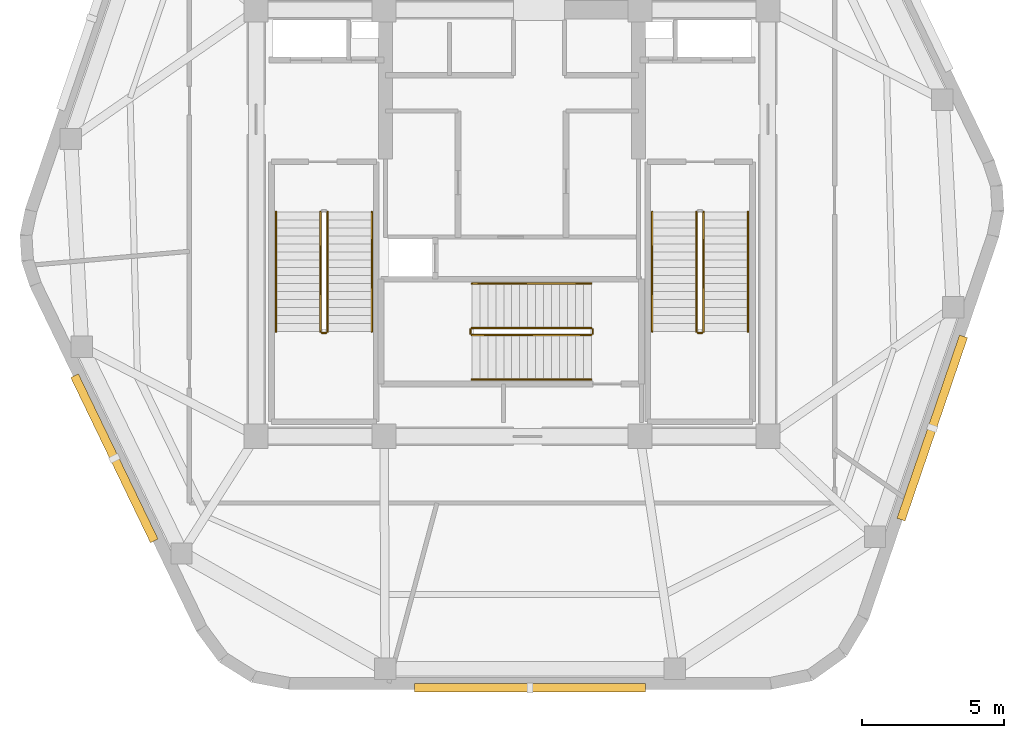
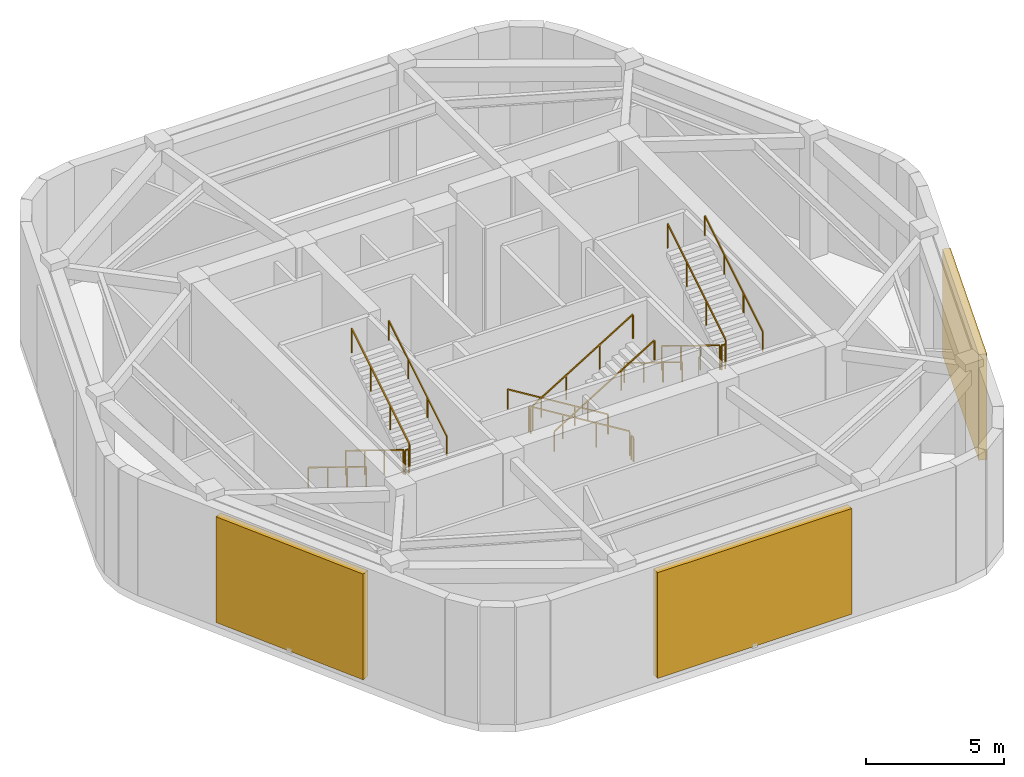
# One storey, part 5 of 6: 16 railings, 3 shading devices.
"""IFC4 building model written with IfcOpenShell, lengths in metres."""

from ifc_helpers import new_model, si_unit, direction, frame, origin, origin_2d, place, context, subcontext, project, spatial, rectangle, extrude, material, layer, layer_set, type_object, element, save


model = new_model("IFC4")

# Units and contexts
model_context = context("Model", 3, precision=1e-05, world=origin(), true_north=direction((0.0, 1.0)))
body_context = subcontext(model_context, "Body", "Model", "MODEL_VIEW")
ifc_project = project(units=[si_unit("LENGTHUNIT", "METRE"), si_unit("AREAUNIT", "SQUARE_METRE"), si_unit("VOLUMEUNIT", "CUBIC_METRE"), si_unit("PLANEANGLEUNIT", "RADIAN"), si_unit("MASSUNIT", "GRAM", prefix="KILO")], contexts=[model_context])

# Site, building, storey
site_placement = place(None, origin())
site = spatial("IfcSite", under=ifc_project, at=site_placement, CompositionType="ELEMENT")
building_placement = place(site_placement, origin())
building = spatial("IfcBuilding", under=site, at=building_placement, Name="Kilnhurst Terrace Hotel", CompositionType="ELEMENT")
storey_placement = place(building_placement, frame((0.0, 0.0, 310.39990234375)))
storey = spatial("IfcBuildingStorey", under=building, at=storey_placement, Name="L77", CompositionType="ELEMENT", Elevation=310.39990234375)

# Railings
ifc_material_1 = material(Name="Powder-Coated Steel ASTM A500 Grade B", Category="steel")
ifc_layer_1 = layer(ifc_material_1, 0.050048828125, Name="Powder-Coated Steel ASTM A500 Grade B")
ifc_layer_set_1 = layer_set([ifc_layer_1], Name="Powder-Coated Steel ASTM A500 Grade B")
railing_type_1 = type_object("IfcRailingType", Name="RLG-ST-GRD-1100", PredefinedType="GUARDRAIL", material=ifc_layer_set_1)
railing_1_placement = place(storey_placement, frame((-6.739990234375, 0.389892578125, 0.171875)))
element("IfcRailing", 1, at=railing_1_placement, inside=storey, type_object=railing_type_1, Name="L77 ST-1 stair guard 1", PredefinedType="GUARDRAIL", context=body_context, shape_type="SweptSolid", body=[
    extrude(rectangle(XDim=0.048095703125, YDim=0.048095703125, at=origin_2d()), frame((0.0, 0.0, 1.076171875), z_axis=(0.0, -0.852242915053, 0.523146264196), x_axis=(1.0, 0.0, 0.0)), (0.0, 0.0, 1.0), 4.92822265625),
    extrude(rectangle(XDim=0.0419921875, YDim=0.0419921875, at=origin_2d()), origin(), (0.0, 0.0, 1.0), 1.052001953125),
    extrude(rectangle(XDim=0.0419921875, YDim=0.0419921875, at=origin_2d()), frame((0.0, -1.39990234375, 0.859375)), (0.0, 0.0, 1.0), 1.052001953125),
    extrude(rectangle(XDim=0.0419921875, YDim=0.0419921875, at=origin_2d()), frame((0.0, -2.800048828125, 1.71875)), (0.0, 0.0, 1.0), 1.052001953125),
    extrude(rectangle(XDim=0.0419921875, YDim=0.0419921875, at=origin_2d()), frame((0.0, -4.199951171875, 2.578125)), (0.0, 0.0, 1.0), 1.052001953125),
])
railing_2_placement = place(storey_placement, frame((-6.68994140625, -3.860107421875, 2.75)))
element("IfcRailing", 2, at=railing_2_placement, inside=storey, type_object=railing_type_1, Name="L77 ST-1 stair guard 2", PredefinedType="GUARDRAIL", context=body_context, shape_type="SweptSolid", body=[
    extrude(rectangle(XDim=0.048095703125, YDim=0.048095703125, at=origin_2d()), frame((0.0, 0.0, 1.076171875), z_axis=(1.0, 0.0, 0.0), x_axis=(0.0, 1.0, 0.0)), (0.0, 0.0, 1.0), 0.14990234375),
    extrude(rectangle(XDim=0.0419921875, YDim=0.0419921875, at=origin_2d()), origin(), (0.0, 0.0, 1.0), 1.052001953125),
    extrude(rectangle(XDim=0.0419921875, YDim=0.0419921875, at=origin_2d()), frame((0.14990234375, 0.0, 0.0)), (0.0, 0.0, 1.0), 1.052001953125),
])
railing_3_placement = place(storey_placement, frame((-6.489990234375, -3.81005859375, 2.921875)))
element("IfcRailing", 3, at=railing_3_placement, inside=storey, type_object=railing_type_1, Name="L77 ST-1 stair guard 3", PredefinedType="GUARDRAIL", context=body_context, shape_type="SweptSolid", body=[
    extrude(rectangle(XDim=0.048095703125, YDim=0.048095703125, at=origin_2d()), frame((0.0, 0.0, 1.076171875), z_axis=(0.0, 0.852242915053, 0.523146264196), x_axis=(-1.0, 0.0, 0.0)), (0.0, 0.0, 1.0), 4.92822265625),
    extrude(rectangle(XDim=0.0419921875, YDim=0.0419921875, at=origin_2d()), origin(), (0.0, 0.0, 1.0), 1.052001953125),
    extrude(rectangle(XDim=0.0419921875, YDim=0.0419921875, at=origin_2d()), frame((0.0, 1.39990234375, 0.859375)), (0.0, 0.0, 1.0), 1.052001953125),
    extrude(rectangle(XDim=0.0419921875, YDim=0.0419921875, at=origin_2d()), frame((0.0, 2.800048828125, 1.71875)), (0.0, 0.0, 1.0), 1.052001953125),
    extrude(rectangle(XDim=0.0419921875, YDim=0.0419921875, at=origin_2d()), frame((0.0, 4.199951171875, 2.578125)), (0.0, 0.0, 1.0), 1.052001953125),
])
railing_4_placement = place(storey_placement, frame((6.489990234375, 0.389892578125, 0.171875)))
element("IfcRailing", 4, at=railing_4_placement, inside=storey, type_object=railing_type_1, Name="L77 ST-2 stair guard 1", PredefinedType="GUARDRAIL", context=body_context, shape_type="SweptSolid", body=[
    extrude(rectangle(XDim=0.048095703125, YDim=0.048095703125, at=origin_2d()), frame((0.0, 0.0, 1.076171875), z_axis=(0.0, -0.852242915053, 0.523146264196), x_axis=(1.0, 0.0, 0.0)), (0.0, 0.0, 1.0), 4.92822265625),
    extrude(rectangle(XDim=0.0419921875, YDim=0.0419921875, at=origin_2d()), origin(), (0.0, 0.0, 1.0), 1.052001953125),
    extrude(rectangle(XDim=0.0419921875, YDim=0.0419921875, at=origin_2d()), frame((0.0, -1.39990234375, 0.859375)), (0.0, 0.0, 1.0), 1.052001953125),
    extrude(rectangle(XDim=0.0419921875, YDim=0.0419921875, at=origin_2d()), frame((0.0, -2.800048828125, 1.71875)), (0.0, 0.0, 1.0), 1.052001953125),
    extrude(rectangle(XDim=0.0419921875, YDim=0.0419921875, at=origin_2d()), frame((0.0, -4.199951171875, 2.578125)), (0.0, 0.0, 1.0), 1.052001953125),
])
railing_5_placement = place(storey_placement, frame((6.5400390625, -3.860107421875, 2.75)))
element("IfcRailing", 5, at=railing_5_placement, inside=storey, type_object=railing_type_1, Name="L77 ST-2 stair guard 2", PredefinedType="GUARDRAIL", context=body_context, shape_type="SweptSolid", body=[
    extrude(rectangle(XDim=0.048095703125, YDim=0.048095703125, at=origin_2d()), frame((0.0, 0.0, 1.076171875), z_axis=(1.0, 0.0, 0.0), x_axis=(0.0, 1.0, 0.0)), (0.0, 0.0, 1.0), 0.14990234375),
    extrude(rectangle(XDim=0.0419921875, YDim=0.0419921875, at=origin_2d()), origin(), (0.0, 0.0, 1.0), 1.052001953125),
    extrude(rectangle(XDim=0.0419921875, YDim=0.0419921875, at=origin_2d()), frame((0.14990234375, 0.0, 0.0)), (0.0, 0.0, 1.0), 1.052001953125),
])
railing_6_placement = place(storey_placement, frame((6.739990234375, -3.81005859375, 2.921875)))
element("IfcRailing", 6, at=railing_6_placement, inside=storey, type_object=railing_type_1, Name="L77 ST-2 stair guard 3", PredefinedType="GUARDRAIL", context=body_context, shape_type="SweptSolid", body=[
    extrude(rectangle(XDim=0.048095703125, YDim=0.048095703125, at=origin_2d()), frame((0.0, 0.0, 1.076171875), z_axis=(0.0, 0.852242915053, 0.523146264196), x_axis=(-1.0, 0.0, 0.0)), (0.0, 0.0, 1.0), 4.92822265625),
    extrude(rectangle(XDim=0.0419921875, YDim=0.0419921875, at=origin_2d()), origin(), (0.0, 0.0, 1.0), 1.052001953125),
    extrude(rectangle(XDim=0.0419921875, YDim=0.0419921875, at=origin_2d()), frame((0.0, 1.39990234375, 0.859375)), (0.0, 0.0, 1.0), 1.052001953125),
    extrude(rectangle(XDim=0.0419921875, YDim=0.0419921875, at=origin_2d()), frame((0.0, 2.800048828125, 1.71875)), (0.0, 0.0, 1.0), 1.052001953125),
    extrude(rectangle(XDim=0.0419921875, YDim=0.0419921875, at=origin_2d()), frame((0.0, 4.199951171875, 2.578125)), (0.0, 0.0, 1.0), 1.052001953125),
])
railing_7_placement = place(storey_placement, frame((2.7900390625, -3.68994140625, 0.171875)))
element("IfcRailing", 7, at=railing_7_placement, inside=storey, type_object=railing_type_1, Name="L77 ST-3 stair guard 1", PredefinedType="GUARDRAIL", context=body_context, shape_type="SweptSolid", body=[
    extrude(rectangle(XDim=0.048095703125, YDim=0.048095703125, at=origin_2d()), frame((0.0, 0.0, 1.076171875), z_axis=(-0.852242915053, 0.0, 0.523146264196), x_axis=(0.0, -1.0, 0.0)), (0.0, 0.0, 1.0), 4.92822265625),
    extrude(rectangle(XDim=0.0419921875, YDim=0.0419921875, at=origin_2d()), origin(), (0.0, 0.0, 1.0), 1.052001953125),
    extrude(rectangle(XDim=0.0419921875, YDim=0.0419921875, at=origin_2d()), frame((-1.39990234375, 0.0, 0.859375)), (0.0, 0.0, 1.0), 1.052001953125),
    extrude(rectangle(XDim=0.0419921875, YDim=0.0419921875, at=origin_2d()), frame((-2.800048828125, 0.0, 1.71875)), (0.0, 0.0, 1.0), 1.052001953125),
    extrude(rectangle(XDim=0.0419921875, YDim=0.0419921875, at=origin_2d()), frame((-4.199951171875, 0.0, 2.578125)), (0.0, 0.0, 1.0), 1.052001953125),
])
railing_8_placement = place(storey_placement, frame((-1.4599609375, -3.739990234375, 2.75)))
element("IfcRailing", 8, at=railing_8_placement, inside=storey, type_object=railing_type_1, Name="L77 ST-3 stair guard 2", PredefinedType="GUARDRAIL", context=body_context, shape_type="SweptSolid", body=[
    extrude(rectangle(XDim=0.048095703125, YDim=0.048095703125, at=origin_2d()), frame((0.0, 0.0, 1.076171875), z_axis=(0.0, -1.0, 0.0), x_axis=(1.0, 0.0, 0.0)), (0.0, 0.0, 1.0), 0.14990234375),
    extrude(rectangle(XDim=0.0419921875, YDim=0.0419921875, at=origin_2d()), origin(), (0.0, 0.0, 1.0), 1.052001953125),
    extrude(rectangle(XDim=0.0419921875, YDim=0.0419921875, at=origin_2d()), frame((0.0, -0.14990234375, 0.0)), (0.0, 0.0, 1.0), 1.052001953125),
])
railing_9_placement = place(storey_placement, frame((-1.409912109375, -3.93994140625, 2.921875)))
element("IfcRailing", 9, at=railing_9_placement, inside=storey, type_object=railing_type_1, Name="L77 ST-3 stair guard 3", PredefinedType="GUARDRAIL", context=body_context, shape_type="SweptSolid", body=[
    extrude(rectangle(XDim=0.048095703125, YDim=0.048095703125, at=origin_2d()), frame((0.0, 0.0, 1.076171875), z_axis=(0.852242915053, 0.0, 0.523146264196), x_axis=(0.0, 1.0, 0.0)), (0.0, 0.0, 1.0), 4.92822265625),
    extrude(rectangle(XDim=0.0419921875, YDim=0.0419921875, at=origin_2d()), origin(), (0.0, 0.0, 1.0), 1.052001953125),
    extrude(rectangle(XDim=0.0419921875, YDim=0.0419921875, at=origin_2d()), frame((1.39990234375, 0.0, 0.859375)), (0.0, 0.0, 1.0), 1.052001953125),
    extrude(rectangle(XDim=0.0419921875, YDim=0.0419921875, at=origin_2d()), frame((2.800048828125, 0.0, 1.71875)), (0.0, 0.0, 1.0), 1.052001953125),
    extrude(rectangle(XDim=0.0419921875, YDim=0.0419921875, at=origin_2d()), frame((4.199951171875, 0.0, 2.578125)), (0.0, 0.0, 1.0), 1.052001953125),
])
railing_10_placement = place(storey_placement, frame((2.840087890625, -3.739990234375, 0.0)))
element("IfcRailing", 10, at=railing_10_placement, inside=storey, type_object=railing_type_1, Name="L77 ST-3 stair guard 4", PredefinedType="GUARDRAIL", context=body_context, shape_type="SweptSolid", body=[
    extrude(rectangle(XDim=0.048095703125, YDim=0.048095703125, at=origin_2d()), frame((0.0, 0.0, 1.076171875), z_axis=(0.0, -1.0, 0.0), x_axis=(1.0, 0.0, 0.0)), (0.0, 0.0, 1.0), 0.14990234375),
    extrude(rectangle(XDim=0.0419921875, YDim=0.0419921875, at=origin_2d()), origin(), (0.0, 0.0, 1.0), 1.052001953125),
    extrude(rectangle(XDim=0.0419921875, YDim=0.0419921875, at=origin_2d()), frame((0.0, -0.14990234375, 0.0)), (0.0, 0.0, 1.0), 1.052001953125),
])
ifc_material_2 = material(Name="Brushed Stainless Steel AISI 304", Category="steel")
ifc_layer_2 = layer(ifc_material_2, 0.048095703125, Name="Brushed Stainless Steel AISI 304")
ifc_layer_set_2 = layer_set([ifc_layer_2], Name="Brushed Stainless Steel AISI 304")
railing_type_2 = type_object("IfcRailingType", Name="RLG-ST-HRL-900", PredefinedType="HANDRAIL", material=ifc_layer_set_2)
railing_11_placement = place(storey_placement, frame((-8.300048828125, 0.389892578125, 0.171875)))
element("IfcRailing", 11, at=railing_11_placement, inside=storey, type_object=railing_type_2, Name="L77 ST-1 stair handrail 1", PredefinedType="HANDRAIL", context=body_context, shape_type="SweptSolid", body=[
    extrude(rectangle(XDim=0.048095703125, YDim=0.048095703125, at=origin_2d()), frame((0.0, 0.0, 0.8759765625), z_axis=(0.0, -0.852242915053, 0.523146264196), x_axis=(1.0, 0.0, 0.0)), (0.0, 0.0, 1.0), 4.92822265625),
    extrude(rectangle(XDim=0.0419921875, YDim=0.0419921875, at=origin_2d()), origin(), (0.0, 0.0, 1.0), 0.851806640625),
    extrude(rectangle(XDim=0.0419921875, YDim=0.0419921875, at=origin_2d()), frame((0.0, -1.39990234375, 0.859375)), (0.0, 0.0, 1.0), 0.851806640625),
    extrude(rectangle(XDim=0.0419921875, YDim=0.0419921875, at=origin_2d()), frame((0.0, -2.800048828125, 1.71875)), (0.0, 0.0, 1.0), 0.851806640625),
    extrude(rectangle(XDim=0.0419921875, YDim=0.0419921875, at=origin_2d()), frame((0.0, -4.199951171875, 2.578125)), (0.0, 0.0, 1.0), 0.851806640625),
])
railing_12_placement = place(storey_placement, frame((-4.929931640625, -3.81005859375, 2.921875)))
element("IfcRailing", 12, at=railing_12_placement, inside=storey, type_object=railing_type_2, Name="L77 ST-1 stair handrail 2", PredefinedType="HANDRAIL", context=body_context, shape_type="SweptSolid", body=[
    extrude(rectangle(XDim=0.048095703125, YDim=0.048095703125, at=origin_2d()), frame((0.0, 0.0, 0.8759765625), z_axis=(0.0, 0.852242915053, 0.523146264196), x_axis=(-1.0, 0.0, 0.0)), (0.0, 0.0, 1.0), 4.92822265625),
    extrude(rectangle(XDim=0.0419921875, YDim=0.0419921875, at=origin_2d()), origin(), (0.0, 0.0, 1.0), 0.851806640625),
    extrude(rectangle(XDim=0.0419921875, YDim=0.0419921875, at=origin_2d()), frame((0.0, 1.39990234375, 0.859375)), (0.0, 0.0, 1.0), 0.851806640625),
    extrude(rectangle(XDim=0.0419921875, YDim=0.0419921875, at=origin_2d()), frame((0.0, 2.800048828125, 1.71875)), (0.0, 0.0, 1.0), 0.851806640625),
    extrude(rectangle(XDim=0.0419921875, YDim=0.0419921875, at=origin_2d()), frame((0.0, 4.199951171875, 2.578125)), (0.0, 0.0, 1.0), 0.851806640625),
])
railing_13_placement = place(storey_placement, frame((4.929931640625, 0.389892578125, 0.171875)))
element("IfcRailing", 13, at=railing_13_placement, inside=storey, type_object=railing_type_2, Name="L77 ST-2 stair handrail 1", PredefinedType="HANDRAIL", context=body_context, shape_type="SweptSolid", body=[
    extrude(rectangle(XDim=0.048095703125, YDim=0.048095703125, at=origin_2d()), frame((0.0, 0.0, 0.8759765625), z_axis=(0.0, -0.852242915053, 0.523146264196), x_axis=(1.0, 0.0, 0.0)), (0.0, 0.0, 1.0), 4.92822265625),
    extrude(rectangle(XDim=0.0419921875, YDim=0.0419921875, at=origin_2d()), origin(), (0.0, 0.0, 1.0), 0.851806640625),
    extrude(rectangle(XDim=0.0419921875, YDim=0.0419921875, at=origin_2d()), frame((0.0, -1.39990234375, 0.859375)), (0.0, 0.0, 1.0), 0.851806640625),
    extrude(rectangle(XDim=0.0419921875, YDim=0.0419921875, at=origin_2d()), frame((0.0, -2.800048828125, 1.71875)), (0.0, 0.0, 1.0), 0.851806640625),
    extrude(rectangle(XDim=0.0419921875, YDim=0.0419921875, at=origin_2d()), frame((0.0, -4.199951171875, 2.578125)), (0.0, 0.0, 1.0), 0.851806640625),
])
railing_14_placement = place(storey_placement, frame((8.300048828125, -3.81005859375, 2.921875)))
element("IfcRailing", 14, at=railing_14_placement, inside=storey, type_object=railing_type_2, Name="L77 ST-2 stair handrail 2", PredefinedType="HANDRAIL", context=body_context, shape_type="SweptSolid", body=[
    extrude(rectangle(XDim=0.048095703125, YDim=0.048095703125, at=origin_2d()), frame((0.0, 0.0, 0.8759765625), z_axis=(0.0, 0.852242915053, 0.523146264196), x_axis=(-1.0, 0.0, 0.0)), (0.0, 0.0, 1.0), 4.92822265625),
    extrude(rectangle(XDim=0.0419921875, YDim=0.0419921875, at=origin_2d()), origin(), (0.0, 0.0, 1.0), 0.851806640625),
    extrude(rectangle(XDim=0.0419921875, YDim=0.0419921875, at=origin_2d()), frame((0.0, 1.39990234375, 0.859375)), (0.0, 0.0, 1.0), 0.851806640625),
    extrude(rectangle(XDim=0.0419921875, YDim=0.0419921875, at=origin_2d()), frame((0.0, 2.800048828125, 1.71875)), (0.0, 0.0, 1.0), 0.851806640625),
    extrude(rectangle(XDim=0.0419921875, YDim=0.0419921875, at=origin_2d()), frame((0.0, 4.199951171875, 2.578125)), (0.0, 0.0, 1.0), 0.851806640625),
])
railing_15_placement = place(storey_placement, frame((2.7900390625, -2.1298828125, 0.171875)))
element("IfcRailing", 15, at=railing_15_placement, inside=storey, type_object=railing_type_2, Name="L77 ST-3 stair handrail 1", PredefinedType="HANDRAIL", context=body_context, shape_type="SweptSolid", body=[
    extrude(rectangle(XDim=0.048095703125, YDim=0.048095703125, at=origin_2d()), frame((0.0, 0.0, 0.8759765625), z_axis=(-0.852242915053, 0.0, 0.523146264196), x_axis=(0.0, -1.0, 0.0)), (0.0, 0.0, 1.0), 4.92822265625),
    extrude(rectangle(XDim=0.0419921875, YDim=0.0419921875, at=origin_2d()), origin(), (0.0, 0.0, 1.0), 0.851806640625),
    extrude(rectangle(XDim=0.0419921875, YDim=0.0419921875, at=origin_2d()), frame((-1.39990234375, 0.0, 0.859375)), (0.0, 0.0, 1.0), 0.851806640625),
    extrude(rectangle(XDim=0.0419921875, YDim=0.0419921875, at=origin_2d()), frame((-2.800048828125, 0.0, 1.71875)), (0.0, 0.0, 1.0), 0.851806640625),
    extrude(rectangle(XDim=0.0419921875, YDim=0.0419921875, at=origin_2d()), frame((-4.199951171875, 0.0, 2.578125)), (0.0, 0.0, 1.0), 0.851806640625),
])
railing_16_placement = place(storey_placement, frame((-1.409912109375, -5.5, 2.921875)))
element("IfcRailing", 16, at=railing_16_placement, inside=storey, type_object=railing_type_2, Name="L77 ST-3 stair handrail 2", PredefinedType="HANDRAIL", context=body_context, shape_type="SweptSolid", body=[
    extrude(rectangle(XDim=0.048095703125, YDim=0.048095703125, at=origin_2d()), frame((0.0, 0.0, 0.8759765625), z_axis=(0.852242915053, 0.0, 0.523146264196), x_axis=(0.0, 1.0, 0.0)), (0.0, 0.0, 1.0), 4.92822265625),
    extrude(rectangle(XDim=0.0419921875, YDim=0.0419921875, at=origin_2d()), origin(), (0.0, 0.0, 1.0), 0.851806640625),
    extrude(rectangle(XDim=0.0419921875, YDim=0.0419921875, at=origin_2d()), frame((1.39990234375, 0.0, 0.859375)), (0.0, 0.0, 1.0), 0.851806640625),
    extrude(rectangle(XDim=0.0419921875, YDim=0.0419921875, at=origin_2d()), frame((2.800048828125, 0.0, 1.71875)), (0.0, 0.0, 1.0), 0.851806640625),
    extrude(rectangle(XDim=0.0419921875, YDim=0.0419921875, at=origin_2d()), frame((4.199951171875, 0.0, 2.578125)), (0.0, 0.0, 1.0), 0.851806640625),
])

# Shading devices
ifc_material_3 = material(Name="Bronze Anodized Extruded Aluminium Alloy 6063-T6", Category="aluminium")
ifc_layer_3 = layer(ifc_material_3, 0.300048828125, Name="Bronze Anodized Extruded Aluminium Alloy 6063-T6")
ifc_layer_set_3 = layer_set([ifc_layer_3], Name="Bronze Anodized Extruded Aluminium Alloy 6063-T6")
shading_device_type = type_object("IfcShadingDeviceType", Name="SHD-LVR-4680", PredefinedType="USERDEFINED", material=ifc_layer_set_3)
shading_device_1_placement = place(storey_placement, frame((0.632568359375, -16.35009765625, 0.25), z_axis=(0.0, 0.0, 1.0), x_axis=(1.0, 0.0, 0.0)))
element("IfcShadingDevice", 17, at=shading_device_1_placement, inside=storey, type_object=shading_device_type, Name="L77 Mechanical Intake Storm Louvre F1", ObjectType="LOUVRE", PredefinedType="USERDEFINED", context=body_context, shape_type="SweptSolid", body=[
    extrude(rectangle(XDim=8.134033203125, YDim=0.300048828125, at=origin_2d()), origin(), (0.0, 0.0, 1.0), 4.679931640625),
])
shading_device_2_placement = place(storey_placement, frame((14.783447265625, -7.208251953125, 0.25), z_axis=(0.0, 0.0, 1.0), x_axis=(0.322546557531, 0.946553600292, 0.0)))
element("IfcShadingDevice", 18, at=shading_device_2_placement, inside=storey, type_object=shading_device_type, Name="L77 Mechanical Intake Storm Louvre F2", ObjectType="LOUVRE", PredefinedType="USERDEFINED", context=body_context, shape_type="SweptSolid", body=[
    extrude(rectangle(XDim=6.81103515625, YDim=0.300048828125, at=origin_2d()), origin(), (0.0, 0.0, 1.0), 4.679931640625),
])
shading_device_3_placement = place(storey_placement, frame((-13.98681640625, -8.273193359375, 0.25), z_axis=(0.0, 0.0, 1.0), x_axis=(0.434665326531, -0.900592057433, 0.0)))
element("IfcShadingDevice", 19, at=shading_device_3_placement, inside=storey, type_object=shading_device_type, Name="L77 Mechanical Intake Storm Louvre F6", ObjectType="LOUVRE", PredefinedType="USERDEFINED", context=body_context, shape_type="SweptSolid", body=[
    extrude(rectangle(XDim=6.450927734375, YDim=0.300048828125, at=origin_2d()), origin(), (0.0, 0.0, 1.0), 4.679931640625),
])

save(model, "model.ifc")
